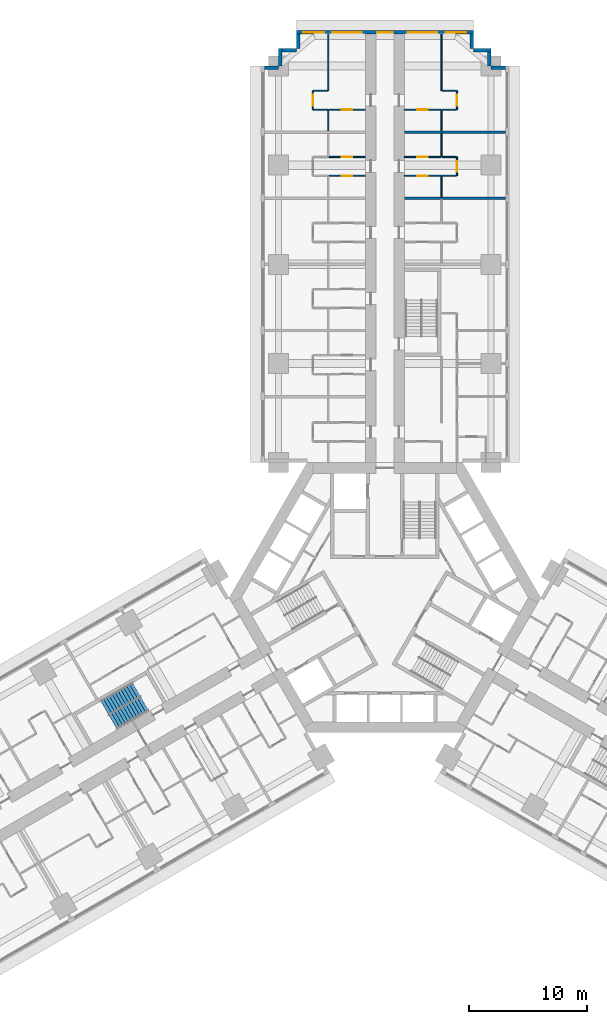
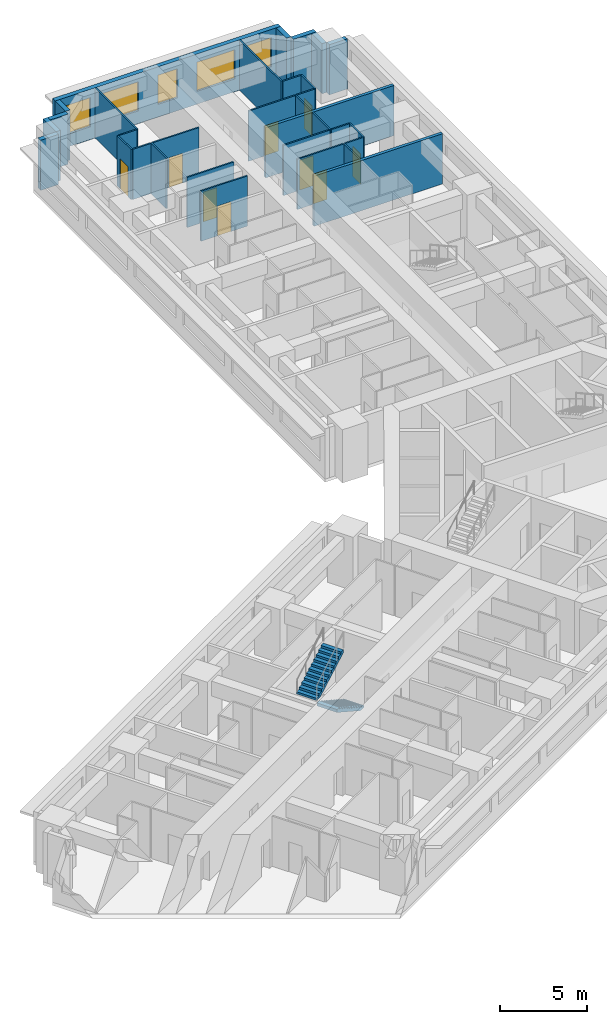
# One storey, part 15 of 17: 32 walls, 9 doors, 5 windows, 2 stair flights, 14 openings, 1 element without a shape of its own.
"""IFC4 building model written with IfcOpenShell, lengths in metres."""

from ifc_helpers import new_model, si_unit, direction, frame, frame_2d, origin, place, context, subcontext, project, spatial, polyline, rectangle, outline, extrude, material, layer, layer_set, type_object, element, fill, aggregate, save


model = new_model("IFC4")

# Units and contexts
model_context = context("Model", 3, precision=1e-05, world=origin(), true_north=direction((0.0, 1.0)))
body_context = subcontext(model_context, "Body", "Model", "MODEL_VIEW")
ifc_project = project(units=[si_unit("LENGTHUNIT", "METRE"), si_unit("AREAUNIT", "SQUARE_METRE"), si_unit("VOLUMEUNIT", "CUBIC_METRE"), si_unit("PLANEANGLEUNIT", "RADIAN"), si_unit("MASSUNIT", "GRAM", prefix="KILO")], contexts=[model_context])

# Site, building, storey
site_placement = place(None, origin())
site = spatial("IfcSite", under=ifc_project, at=site_placement, CompositionType="ELEMENT")
building_placement = place(site_placement, origin())
building = spatial("IfcBuilding", under=site, at=building_placement, Name="Impinga Residences", CompositionType="ELEMENT")
storey_placement = place(building_placement, frame((0.0, 0.0, 33.5)))
storey = spatial("IfcBuildingStorey", under=building, at=storey_placement, Name="L07", CompositionType="ELEMENT", Elevation=33.5)

# Walls
ifc_material_1 = material(Name="Terracotta rainscreen on blockwork", Category="masonry")
ifc_layer_1 = layer(ifc_material_1, 0.300048828125)
ifc_layer_set_1 = layer_set([ifc_layer_1], Name="EW1 external wall, terracotta rainscreen on blockwork 300")
wall_type_1 = type_object("IfcWallType", Name="EW1 external wall, terracotta rainscreen on blockwork 300", PredefinedType="SOLIDWALL", material=ifc_layer_set_1)
wall_1_placement = place(storey_placement, frame((-10.199951171875, 44.881591796875, 0.0), z_axis=(0.0, 0.0, 1.0), x_axis=(1.0, 0.0, 0.0)))
element("IfcWall", 1, at=wall_1_placement, inside=storey, type_object=wall_type_1, Name="External wall EW1 L07", PredefinedType="SOLIDWALL", context=body_context, shape_type="SweptSolid", body=[
    extrude(rectangle(XDim=1.199951171875, YDim=0.300048828125, at=frame_2d((0.60009765625, 0.0))), origin(), (0.0, 0.0, 1.0), 3.530029296875),
])
wall_2_placement = place(storey_placement, frame((-8.85009765625, 45.03662109375, 0.0), z_axis=(0.0, 0.0, 1.0), x_axis=(0.0, 1.0, 0.0)))
element("IfcWall", 2, at=wall_2_placement, inside=storey, type_object=wall_type_1, Name="External wall EW1 L07", PredefinedType="SOLIDWALL", context=body_context, shape_type="SweptSolid", body=[
    extrude(rectangle(XDim=1.494873046875, YDim=0.300048828125, at=frame_2d((0.74755859375, 0.0))), origin(), (0.0, 0.0, 1.0), 3.530029296875),
])
wall_3_placement = place(storey_placement, frame((-8.699951171875, 46.381591796875, 0.0), z_axis=(0.0, 0.0, 1.0), x_axis=(1.0, 0.0, 0.0)))
element("IfcWall", 3, at=wall_3_placement, inside=storey, type_object=wall_type_1, Name="External wall EW1 L07", PredefinedType="SOLIDWALL", context=body_context, shape_type="SweptSolid", body=[
    extrude(rectangle(XDim=1.199951171875, YDim=0.300048828125, at=frame_2d((0.60009765625, 0.0))), origin(), (0.0, 0.0, 1.0), 3.530029296875),
])
wall_4_placement = place(storey_placement, frame((-7.35009765625, 46.53662109375, 0.0), z_axis=(0.0, 0.0, 1.0), x_axis=(0.0, 1.0, 0.0)))
element("IfcWall", 4, at=wall_4_placement, inside=storey, type_object=wall_type_1, Name="External wall EW1 L07", PredefinedType="SOLIDWALL", context=body_context, shape_type="SweptSolid", body=[
    extrude(rectangle(XDim=1.19482421875, YDim=0.300048828125, at=frame_2d((0.597412109375, 0.0))), origin(), (0.0, 0.0, 1.0), 3.530029296875),
])

# Wall, openings, windows
wall_5_placement = place(storey_placement, frame((-7.5, 47.881591796875, 0.0), z_axis=(0.0, 0.0, 1.0), x_axis=(1.0, 0.0, 0.0)))
wall_5 = element("IfcWall", 5, at=wall_5_placement, inside=storey, type_object=wall_type_1, Name="External wall EW1 L07", PredefinedType="SOLIDWALL", context=body_context, shape_type="SweptSolid", body=[
    extrude(rectangle(XDim=15.0, YDim=0.300048828125, at=frame_2d((7.5, 0.0))), origin(), (0.0, 0.0, 1.0), 3.530029296875),
])
opening_1_placement = place(wall_5_placement, frame((0.60009765625, 0.0, 0.89990234375)))
opening_1 = element("IfcOpeningElement", 6, at=opening_1_placement, cuts=wall_5, Name="Opening W1", PredefinedType="OPENING", context=body_context, shape_type="SweptSolid", body=[
    extrude(rectangle(XDim=1.75, YDim=2.050048828125, at=frame_2d((0.875, 1.02490234375))), frame((0.0, 0.159912109375, 0.0), z_axis=(0.0, -1.0, 0.0), x_axis=(1.0, 0.0, 0.0)), (0.0, 0.0, 1.0), 0.320068359375),
])
opening_2_placement = place(wall_5_placement, frame((3.050048828125, 0.0, 0.89990234375)))
opening_2 = element("IfcOpeningElement", 7, at=opening_2_placement, cuts=wall_5, Name="Opening W2", PredefinedType="OPENING", context=body_context, shape_type="SweptSolid", body=[
    extrude(rectangle(XDim=2.5, YDim=2.050048828125, at=frame_2d((1.25, 1.02490234375))), frame((0.0, 0.159912109375, 0.0), z_axis=(0.0, -1.0, 0.0), x_axis=(1.0, 0.0, 0.0)), (0.0, 0.0, 1.0), 0.320068359375),
])
opening_3_placement = place(wall_5_placement, frame((6.85009765625, 0.0, 0.89990234375)))
opening_3 = element("IfcOpeningElement", 8, at=opening_3_placement, cuts=wall_5, Name="Opening WE1", PredefinedType="OPENING", context=body_context, shape_type="SweptSolid", body=[
    extrude(rectangle(XDim=1.300048828125, YDim=2.050048828125, at=frame_2d((0.64990234375, 1.02490234375))), frame((0.0, 0.159912109375, 0.0), z_axis=(0.0, -1.0, 0.0), x_axis=(1.0, 0.0, 0.0)), (0.0, 0.0, 1.0), 0.320068359375),
])
opening_4_placement = place(wall_5_placement, frame((9.449951171875, 0.0, 0.89990234375)))
opening_4 = element("IfcOpeningElement", 9, at=opening_4_placement, cuts=wall_5, Name="Opening W2", PredefinedType="OPENING", context=body_context, shape_type="SweptSolid", body=[
    extrude(rectangle(XDim=2.5, YDim=2.050048828125, at=frame_2d((1.25, 1.02490234375))), frame((0.0, 0.159912109375, 0.0), z_axis=(0.0, -1.0, 0.0), x_axis=(1.0, 0.0, 0.0)), (0.0, 0.0, 1.0), 0.320068359375),
])
opening_5_placement = place(wall_5_placement, frame((12.64990234375, 0.0, 0.89990234375)))
opening_5 = element("IfcOpeningElement", 10, at=opening_5_placement, cuts=wall_5, Name="Opening W1", PredefinedType="OPENING", context=body_context, shape_type="SweptSolid", body=[
    extrude(rectangle(XDim=1.75, YDim=2.050048828125, at=frame_2d((0.875, 1.02490234375))), frame((0.0, 0.159912109375, 0.0), z_axis=(0.0, -1.0, 0.0), x_axis=(1.0, 0.0, 0.0)), (0.0, 0.0, 1.0), 0.320068359375),
])
ifc_material_2 = material(Name="Aluminium window, clear double glazing", Category="aluminium")
window_type_1 = type_object("IfcWindowType", Name="W1 ribbon window 1750x2050", PartitioningType="SINGLE_PANEL", PredefinedType="WINDOW", material=ifc_material_2)
window_1_placement = place(opening_1_placement, origin())
window_1 = element("IfcWindow", 11, at=window_1_placement, inside=storey, type_object=window_type_1, Name="Window L07", OverallHeight=2.050048828125, OverallWidth=1.75, PartitioningType="SINGLE_PANEL", PredefinedType="WINDOW", context=body_context, shape_type="SweptSolid", body=[
    extrude(rectangle(XDim=1.75, YDim=2.050048828125, at=frame_2d((0.875, 1.02490234375))), frame((0.0, 0.030029296875, 0.0), z_axis=(0.0, -1.0, 0.0), x_axis=(1.0, 0.0, 0.0)), (0.0, 0.0, 1.0), 0.06005859375),
])
fill(opening_1, window_1)
window_2_placement = place(opening_5_placement, origin())
window_2 = element("IfcWindow", 12, at=window_2_placement, inside=storey, type_object=window_type_1, Name="Window L07", OverallHeight=2.050048828125, OverallWidth=1.75, PartitioningType="SINGLE_PANEL", PredefinedType="WINDOW", context=body_context, shape_type="SweptSolid", body=[
    extrude(rectangle(XDim=1.75, YDim=2.050048828125, at=frame_2d((0.875, 1.02490234375))), frame((0.0, 0.030029296875, 0.0), z_axis=(0.0, -1.0, 0.0), x_axis=(1.0, 0.0, 0.0)), (0.0, 0.0, 1.0), 0.06005859375),
])
fill(opening_5, window_2)
window_type_2 = type_object("IfcWindowType", Name="W2 ribbon window 2500x2050", PartitioningType="SINGLE_PANEL", PredefinedType="WINDOW", material=ifc_material_2)
window_3_placement = place(opening_2_placement, origin())
window_3 = element("IfcWindow", 13, at=window_3_placement, inside=storey, type_object=window_type_2, Name="Window L07", OverallHeight=2.050048828125, OverallWidth=2.5, PartitioningType="SINGLE_PANEL", PredefinedType="WINDOW", context=body_context, shape_type="SweptSolid", body=[
    extrude(rectangle(XDim=2.5, YDim=2.050048828125, at=frame_2d((1.25, 1.02490234375))), frame((0.0, 0.030029296875, 0.0), z_axis=(0.0, -1.0, 0.0), x_axis=(1.0, 0.0, 0.0)), (0.0, 0.0, 1.0), 0.06005859375),
])
fill(opening_2, window_3)
window_4_placement = place(opening_4_placement, origin())
window_4 = element("IfcWindow", 14, at=window_4_placement, inside=storey, type_object=window_type_2, Name="Window L07", OverallHeight=2.050048828125, OverallWidth=2.5, PartitioningType="SINGLE_PANEL", PredefinedType="WINDOW", context=body_context, shape_type="SweptSolid", body=[
    extrude(rectangle(XDim=2.5, YDim=2.050048828125, at=frame_2d((1.25, 1.02490234375))), frame((0.0, 0.030029296875, 0.0), z_axis=(0.0, -1.0, 0.0), x_axis=(1.0, 0.0, 0.0)), (0.0, 0.0, 1.0), 0.06005859375),
])
fill(opening_4, window_4)
window_type_3 = type_object("IfcWindowType", Name="WE1 corridor window 1300x2050", PartitioningType="SINGLE_PANEL", PredefinedType="WINDOW", material=ifc_material_2)
window_5_placement = place(opening_3_placement, origin())
window_5 = element("IfcWindow", 15, at=window_5_placement, inside=storey, type_object=window_type_3, Name="Window L07", OverallHeight=2.050048828125, OverallWidth=1.300048828125, PartitioningType="SINGLE_PANEL", PredefinedType="WINDOW", context=body_context, shape_type="SweptSolid", body=[
    extrude(rectangle(XDim=1.300048828125, YDim=2.050048828125, at=frame_2d((0.64990234375, 1.02490234375))), frame((0.0, 0.030029296875, 0.0), z_axis=(0.0, -1.0, 0.0), x_axis=(1.0, 0.0, 0.0)), (0.0, 0.0, 1.0), 0.06005859375),
])
fill(opening_3, window_5)

# Walls
wall_6_placement = place(storey_placement, frame((7.35009765625, 47.7314453125, 0.0), z_axis=(0.0, 0.0, 1.0), x_axis=(0.0, -1.0, 0.0)))
element("IfcWall", 16, at=wall_6_placement, inside=storey, type_object=wall_type_1, Name="External wall EW1 L07", PredefinedType="SOLIDWALL", context=body_context, shape_type="SweptSolid", body=[
    extrude(rectangle(XDim=1.19482421875, YDim=0.300048828125, at=frame_2d((0.597412109375, 0.0))), origin(), (0.0, 0.0, 1.0), 3.530029296875),
])
wall_7_placement = place(storey_placement, frame((7.5, 46.381591796875, 0.0), z_axis=(0.0, 0.0, 1.0), x_axis=(1.0, 0.0, 0.0)))
element("IfcWall", 17, at=wall_7_placement, inside=storey, type_object=wall_type_1, Name="External wall EW1 L07", PredefinedType="SOLIDWALL", context=body_context, shape_type="SweptSolid", body=[
    extrude(rectangle(XDim=1.5, YDim=0.300048828125, at=frame_2d((0.75, 0.0))), origin(), (0.0, 0.0, 1.0), 3.530029296875),
])
wall_8_placement = place(storey_placement, frame((8.85009765625, 46.2314453125, 0.0), z_axis=(0.0, 0.0, 1.0), x_axis=(0.0, -1.0, 0.0)))
element("IfcWall", 18, at=wall_8_placement, inside=storey, type_object=wall_type_1, Name="External wall EW1 L07", PredefinedType="SOLIDWALL", context=body_context, shape_type="SweptSolid", body=[
    extrude(rectangle(XDim=1.199951171875, YDim=0.300048828125, at=frame_2d((0.60009765625, 0.0))), origin(), (0.0, 0.0, 1.0), 3.530029296875),
])
wall_9_placement = place(storey_placement, frame((9.0048828125, 44.881591796875, 0.0), z_axis=(0.0, 0.0, 1.0), x_axis=(1.0, 0.0, 0.0)))
element("IfcWall", 19, at=wall_9_placement, inside=storey, type_object=wall_type_1, Name="External wall EW1 L07", PredefinedType="SOLIDWALL", context=body_context, shape_type="SweptSolid", body=[
    extrude(rectangle(XDim=1.195068359375, YDim=0.300048828125, at=frame_2d((0.59765625, 0.0))), origin(), (0.0, 0.0, 1.0), 3.530029296875),
])

# Wall, opening, door
ifc_material_3 = material(Name="Gypsum board on steel studs", Category="steel")
ifc_layer_2 = layer(ifc_material_3, 0.10009765625)
ifc_layer_set_2 = layer_set([ifc_layer_2], Name="Gypsum board on steel studs")
wall_type_2 = type_object("IfcWallType", Name="IP1 partition 100", PredefinedType="PARTITIONING", material=ifc_layer_set_2)
wall_10_placement = place(storey_placement, frame((-1.64990234375, 35.7314453125, 0.0), z_axis=(0.0, 0.0, 1.0), x_axis=(-1.0, 0.0, 0.0)))
wall_10 = element("IfcWall", 20, at=wall_10_placement, inside=storey, type_object=wall_type_2, Name="Partition L07-NA5:IB1", PredefinedType="PARTITIONING", context=body_context, shape_type="SweptSolid", body=[
    extrude(rectangle(XDim=3.10009765625, YDim=0.10009765625, at=frame_2d((1.550048828125, 0.0))), origin(), (0.0, 0.0, 1.0), 3.530029296875),
])
opening_6_placement = place(wall_10_placement, frame((1.10009765625, 0.0, 0.0)))
opening_6 = element("IfcOpeningElement", 21, at=opening_6_placement, cuts=wall_10, Name="Opening D2", PredefinedType="OPENING", context=body_context, shape_type="SweptSolid", body=[
    extrude(rectangle(XDim=0.89990234375, YDim=2.10009765625, at=frame_2d((0.449951171875, 1.050048828125))), frame((0.0, 0.06005859375, 0.0), z_axis=(0.0, -1.0, 0.0), x_axis=(1.0, 0.0, 0.0)), (0.0, 0.0, 1.0), 0.1201171875),
])
ifc_material_4 = material(Name="Timber door set", Category="wood")
door_type = type_object("IfcDoorType", Name="D2 internal door 900x2100", OperationType="SINGLE_SWING_LEFT", PredefinedType="DOOR", material=ifc_material_4)
door_1_placement = place(opening_6_placement, origin())
door_1 = element("IfcDoor", 22, at=door_1_placement, inside=storey, type_object=door_type, Name="Apartment L07-NA5 bathroom door", OperationType="SINGLE_SWING_LEFT", OverallHeight=2.10009765625, OverallWidth=0.89990234375, PredefinedType="DOOR", context=body_context, shape_type="SweptSolid", body=[
    extrude(rectangle(XDim=0.89990234375, YDim=2.10009765625, at=frame_2d((0.449951171875, 1.050048828125))), frame((0.0, 0.02490234375, 0.0), z_axis=(0.0, -1.0, 0.0), x_axis=(1.0, 0.0, 0.0)), (0.0, 0.0, 1.0), 0.050048828125),
])
fill(opening_6, door_1)

wall_11_placement = place(storey_placement, frame((-1.64990234375, 37.33154296875, 0.0), z_axis=(0.0, 0.0, 1.0), x_axis=(-1.0, 0.0, 0.0)))
wall_11 = element("IfcWall", 23, at=wall_11_placement, inside=storey, type_object=wall_type_2, Name="Partition L07-NA5:IB2", PredefinedType="PARTITIONING", context=body_context, shape_type="SweptSolid", body=[
    extrude(rectangle(XDim=3.10009765625, YDim=0.10009765625, at=frame_2d((1.550048828125, 0.0))), origin(), (0.0, 0.0, 1.0), 3.530029296875),
])
opening_7_placement = place(wall_11_placement, frame((1.10009765625, 0.0, 0.0)))
opening_7 = element("IfcOpeningElement", 24, at=opening_7_placement, cuts=wall_11, Name="Opening D2", PredefinedType="OPENING", context=body_context, shape_type="SweptSolid", body=[
    extrude(rectangle(XDim=0.89990234375, YDim=2.10009765625, at=frame_2d((0.449951171875, 1.050048828125))), frame((0.0, 0.06005859375, 0.0), z_axis=(0.0, -1.0, 0.0), x_axis=(1.0, 0.0, 0.0)), (0.0, 0.0, 1.0), 0.1201171875),
])
door_2_placement = place(opening_7_placement, origin())
door_2 = element("IfcDoor", 25, at=door_2_placement, inside=storey, type_object=door_type, Name="Apartment L07-NA5 WC door", OperationType="SINGLE_SWING_LEFT", OverallHeight=2.10009765625, OverallWidth=0.89990234375, PredefinedType="DOOR", context=body_context, shape_type="SweptSolid", body=[
    extrude(rectangle(XDim=0.89990234375, YDim=2.10009765625, at=frame_2d((0.449951171875, 1.050048828125))), frame((0.0, 0.02490234375, 0.0), z_axis=(0.0, -1.0, 0.0), x_axis=(1.0, 0.0, 0.0)), (0.0, 0.0, 1.0), 0.050048828125),
])
fill(opening_7, door_2)

# Walls
wall_12_placement = place(storey_placement, frame((-4.800048828125, 39.531494140625, 0.0), z_axis=(0.0, 0.0, 1.0), x_axis=(0.0, 1.0, 0.0)))
element("IfcWall", 26, at=wall_12_placement, inside=storey, type_object=wall_type_2, Name="Partition L07-NA6:DIV0", PredefinedType="PARTITIONING", context=body_context, shape_type="SweptSolid", body=[
    extrude(rectangle(XDim=1.800048828125, YDim=0.10009765625, at=frame_2d((0.89990234375, 0.0))), origin(), (0.0, 0.0, 1.0), 3.530029296875),
])
wall_13_placement = place(storey_placement, frame((-4.800048828125, 42.931640625, 0.0), z_axis=(0.0, 0.0, 1.0), x_axis=(0.0, 1.0, 0.0)))
element("IfcWall", 27, at=wall_13_placement, inside=storey, type_object=wall_type_2, Name="Partition L07-NA6:DIV1", PredefinedType="PARTITIONING", context=body_context, shape_type="SweptSolid", body=[
    extrude(rectangle(XDim=4.7998046875, YDim=0.10009765625, at=frame_2d((2.39990234375, 0.0))), origin(), (0.0, 0.0, 1.0), 3.530029296875),
])

# Wall, opening, door
wall_14_placement = place(storey_placement, frame((-6.10009765625, 41.33154296875, 0.0), z_axis=(0.0, 0.0, 1.0), x_axis=(0.0, 1.0, 0.0)))
wall_14 = element("IfcWall", 28, at=wall_14_placement, inside=storey, type_object=wall_type_2, Name="Partition L07-NA6:STRIP", PredefinedType="PARTITIONING", context=body_context, shape_type="SweptSolid", body=[
    extrude(rectangle(XDim=1.60009765625, YDim=0.10009765625, at=frame_2d((0.800048828125, 0.0))), origin(), (0.0, 0.0, 1.0), 3.530029296875),
])
opening_8_placement = place(wall_14_placement, frame((0.35009765625, 0.0, 0.0)))
opening_8 = element("IfcOpeningElement", 29, at=opening_8_placement, cuts=wall_14, Name="Opening D2", PredefinedType="OPENING", context=body_context, shape_type="SweptSolid", body=[
    extrude(rectangle(XDim=0.89990234375, YDim=2.10009765625, at=frame_2d((0.449951171875, 1.050048828125))), frame((0.0, 0.06005859375, 0.0), z_axis=(0.0, -1.0, 0.0), x_axis=(1.0, 0.0, 0.0)), (0.0, 0.0, 1.0), 0.1201171875),
])
door_3_placement = place(opening_8_placement, origin())
door_3 = element("IfcDoor", 30, at=door_3_placement, inside=storey, type_object=door_type, Name="Apartment L07-NA6 room door", OperationType="SINGLE_SWING_LEFT", OverallHeight=2.10009765625, OverallWidth=0.89990234375, PredefinedType="DOOR", context=body_context, shape_type="SweptSolid", body=[
    extrude(rectangle(XDim=0.89990234375, YDim=2.10009765625, at=frame_2d((0.449951171875, 1.050048828125))), frame((0.0, 0.02490234375, 0.0), z_axis=(0.0, -1.0, 0.0), x_axis=(1.0, 0.0, 0.0)), (0.0, 0.0, 1.0), 0.050048828125),
])
fill(opening_8, door_3)

# Walls
for number, where, z_axis, x_axis, name in (
    (31, (-4.85009765625, 41.33154296875, 0.0), (0.0, 0.0, 1.0), (-1.0, 0.0, 0.0), "Partition L07-NA6:SE0"),
    (32, (-4.85009765625, 42.931640625, 0.0), (0.0, 0.0, 1.0), (-1.0, 0.0, 0.0), "Partition L07-NA6:SE1"),
):
    element("IfcWall", number, at=place(storey_placement, frame(where, z_axis=z_axis, x_axis=x_axis)), inside=storey, type_object=wall_type_2, Name=name, PredefinedType="PARTITIONING", context=body_context, shape_type="SweptSolid", body=[
        extrude(rectangle(XDim=1.199951171875, YDim=0.10009765625, at=frame_2d((0.60009765625, 0.0))), origin(), (0.0, 0.0, 1.0), 3.530029296875),
    ])

# Wall, opening, door
wall_15_placement = place(storey_placement, frame((-1.64990234375, 41.33154296875, 0.0), z_axis=(0.0, 0.0, 1.0), x_axis=(-1.0, 0.0, 0.0)))
wall_15 = element("IfcWall", 33, at=wall_15_placement, inside=storey, type_object=wall_type_2, Name="Partition L07-NA6:IB1", PredefinedType="PARTITIONING", context=body_context, shape_type="SweptSolid", body=[
    extrude(rectangle(XDim=3.10009765625, YDim=0.10009765625, at=frame_2d((1.550048828125, 0.0))), origin(), (0.0, 0.0, 1.0), 3.530029296875),
])
opening_9_placement = place(wall_15_placement, frame((1.10009765625, 0.0, 0.0)))
opening_9 = element("IfcOpeningElement", 34, at=opening_9_placement, cuts=wall_15, Name="Opening D2", PredefinedType="OPENING", context=body_context, shape_type="SweptSolid", body=[
    extrude(rectangle(XDim=0.89990234375, YDim=2.10009765625, at=frame_2d((0.449951171875, 1.050048828125))), frame((0.0, 0.06005859375, 0.0), z_axis=(0.0, -1.0, 0.0), x_axis=(1.0, 0.0, 0.0)), (0.0, 0.0, 1.0), 0.1201171875),
])
door_4_placement = place(opening_9_placement, origin())
door_4 = element("IfcDoor", 35, at=door_4_placement, inside=storey, type_object=door_type, Name="Apartment L07-NA6 bathroom door", OperationType="SINGLE_SWING_LEFT", OverallHeight=2.10009765625, OverallWidth=0.89990234375, PredefinedType="DOOR", context=body_context, shape_type="SweptSolid", body=[
    extrude(rectangle(XDim=0.89990234375, YDim=2.10009765625, at=frame_2d((0.449951171875, 1.050048828125))), frame((0.0, 0.02490234375, 0.0), z_axis=(0.0, -1.0, 0.0), x_axis=(1.0, 0.0, 0.0)), (0.0, 0.0, 1.0), 0.050048828125),
])
fill(opening_9, door_4)

# Walls
wall_16_placement = place(storey_placement, frame((4.800048828125, 33.931640625, 0.0), z_axis=(0.0, 0.0, 1.0), x_axis=(0.0, 1.0, 0.0)))
element("IfcWall", 36, at=wall_16_placement, inside=storey, type_object=wall_type_2, Name="Partition L07-NF3:DIV0", PredefinedType="PARTITIONING", context=body_context, shape_type="SweptSolid", body=[
    extrude(rectangle(XDim=1.7998046875, YDim=0.10009765625, at=frame_2d((0.89990234375, 0.0))), origin(), (0.0, 0.0, 1.0), 3.530029296875),
])
wall_17_placement = place(storey_placement, frame((4.800048828125, 37.33154296875, 0.0), z_axis=(0.0, 0.0, 1.0), x_axis=(0.0, 1.0, 0.0)))
element("IfcWall", 37, at=wall_17_placement, inside=storey, type_object=wall_type_2, Name="Partition L07-NF3:DIV1", PredefinedType="PARTITIONING", context=body_context, shape_type="SweptSolid", body=[
    extrude(rectangle(XDim=2.0, YDim=0.10009765625, at=frame_2d((1.0, 0.0))), origin(), (0.0, 0.0, 1.0), 3.530029296875),
])

# Wall, opening, door
wall_18_placement = place(storey_placement, frame((6.10009765625, 35.7314453125, 0.0), z_axis=(0.0, 0.0, 1.0), x_axis=(0.0, 1.0, 0.0)))
wall_18 = element("IfcWall", 38, at=wall_18_placement, inside=storey, type_object=wall_type_2, Name="Partition L07-NF3:STRIP", PredefinedType="PARTITIONING", context=body_context, shape_type="SweptSolid", body=[
    extrude(rectangle(XDim=1.60009765625, YDim=0.10009765625, at=frame_2d((0.800048828125, 0.0))), origin(), (0.0, 0.0, 1.0), 3.530029296875),
])
opening_10_placement = place(wall_18_placement, frame((0.35009765625, 0.0, 0.0)))
opening_10 = element("IfcOpeningElement", 39, at=opening_10_placement, cuts=wall_18, Name="Opening D2", PredefinedType="OPENING", context=body_context, shape_type="SweptSolid", body=[
    extrude(rectangle(XDim=0.89990234375, YDim=2.10009765625, at=frame_2d((0.449951171875, 1.050048828125))), frame((0.0, 0.06005859375, 0.0), z_axis=(0.0, -1.0, 0.0), x_axis=(1.0, 0.0, 0.0)), (0.0, 0.0, 1.0), 0.1201171875),
])
door_5_placement = place(opening_10_placement, origin())
door_5 = element("IfcDoor", 40, at=door_5_placement, inside=storey, type_object=door_type, Name="Apartment L07-NF3 room door", OperationType="SINGLE_SWING_LEFT", OverallHeight=2.10009765625, OverallWidth=0.89990234375, PredefinedType="DOOR", context=body_context, shape_type="SweptSolid", body=[
    extrude(rectangle(XDim=0.89990234375, YDim=2.10009765625, at=frame_2d((0.449951171875, 1.050048828125))), frame((0.0, 0.02490234375, 0.0), z_axis=(0.0, -1.0, 0.0), x_axis=(1.0, 0.0, 0.0)), (0.0, 0.0, 1.0), 0.050048828125),
])
fill(opening_10, door_5)

# Walls
for number, where, z_axis, x_axis, name in (
    (41, (4.85009765625, 35.7314453125, 0.0), (0.0, 0.0, 1.0), (1.0, 0.0, 0.0), "Partition L07-NF3:SE0"),
    (42, (4.85009765625, 37.33154296875, 0.0), (0.0, 0.0, 1.0), (1.0, 0.0, 0.0), "Partition L07-NF3:SE1"),
):
    element("IfcWall", number, at=place(storey_placement, frame(where, z_axis=z_axis, x_axis=x_axis)), inside=storey, type_object=wall_type_2, Name=name, PredefinedType="PARTITIONING", context=body_context, shape_type="SweptSolid", body=[
        extrude(rectangle(XDim=1.199951171875, YDim=0.10009765625, at=frame_2d((0.60009765625, 0.0))), origin(), (0.0, 0.0, 1.0), 3.530029296875),
    ])

# Wall, opening, door
wall_19_placement = place(storey_placement, frame((1.64990234375, 35.7314453125, 0.0), z_axis=(0.0, 0.0, 1.0), x_axis=(1.0, 0.0, 0.0)))
wall_19 = element("IfcWall", 43, at=wall_19_placement, inside=storey, type_object=wall_type_2, Name="Partition L07-NF3:IB1", PredefinedType="PARTITIONING", context=body_context, shape_type="SweptSolid", body=[
    extrude(rectangle(XDim=3.10009765625, YDim=0.10009765625, at=frame_2d((1.550048828125, 0.0))), origin(), (0.0, 0.0, 1.0), 3.530029296875),
])
opening_11_placement = place(wall_19_placement, frame((1.10009765625, 0.0, 0.0)))
opening_11 = element("IfcOpeningElement", 44, at=opening_11_placement, cuts=wall_19, Name="Opening D2", PredefinedType="OPENING", context=body_context, shape_type="SweptSolid", body=[
    extrude(rectangle(XDim=0.89990234375, YDim=2.10009765625, at=frame_2d((0.449951171875, 1.050048828125))), frame((0.0, 0.06005859375, 0.0), z_axis=(0.0, -1.0, 0.0), x_axis=(1.0, 0.0, 0.0)), (0.0, 0.0, 1.0), 0.1201171875),
])
door_6_placement = place(opening_11_placement, origin())
door_6 = element("IfcDoor", 45, at=door_6_placement, inside=storey, type_object=door_type, Name="Apartment L07-NF3 bathroom door", OperationType="SINGLE_SWING_LEFT", OverallHeight=2.10009765625, OverallWidth=0.89990234375, PredefinedType="DOOR", context=body_context, shape_type="SweptSolid", body=[
    extrude(rectangle(XDim=0.89990234375, YDim=2.10009765625, at=frame_2d((0.449951171875, 1.050048828125))), frame((0.0, 0.02490234375, 0.0), z_axis=(0.0, -1.0, 0.0), x_axis=(1.0, 0.0, 0.0)), (0.0, 0.0, 1.0), 0.050048828125),
])
fill(opening_11, door_6)

wall_20_placement = place(storey_placement, frame((1.64990234375, 37.33154296875, 0.0), z_axis=(0.0, 0.0, 1.0), x_axis=(1.0, 0.0, 0.0)))
wall_20 = element("IfcWall", 46, at=wall_20_placement, inside=storey, type_object=wall_type_2, Name="Partition L07-NF3:IB2", PredefinedType="PARTITIONING", context=body_context, shape_type="SweptSolid", body=[
    extrude(rectangle(XDim=3.10009765625, YDim=0.10009765625, at=frame_2d((1.550048828125, 0.0))), origin(), (0.0, 0.0, 1.0), 3.530029296875),
])
opening_12_placement = place(wall_20_placement, frame((1.10009765625, 0.0, 0.0)))
opening_12 = element("IfcOpeningElement", 47, at=opening_12_placement, cuts=wall_20, Name="Opening D2", PredefinedType="OPENING", context=body_context, shape_type="SweptSolid", body=[
    extrude(rectangle(XDim=0.89990234375, YDim=2.10009765625, at=frame_2d((0.449951171875, 1.050048828125))), frame((0.0, 0.06005859375, 0.0), z_axis=(0.0, -1.0, 0.0), x_axis=(1.0, 0.0, 0.0)), (0.0, 0.0, 1.0), 0.1201171875),
])
door_7_placement = place(opening_12_placement, origin())
door_7 = element("IfcDoor", 48, at=door_7_placement, inside=storey, type_object=door_type, Name="Apartment L07-NF3 WC door", OperationType="SINGLE_SWING_LEFT", OverallHeight=2.10009765625, OverallWidth=0.89990234375, PredefinedType="DOOR", context=body_context, shape_type="SweptSolid", body=[
    extrude(rectangle(XDim=0.89990234375, YDim=2.10009765625, at=frame_2d((0.449951171875, 1.050048828125))), frame((0.0, 0.02490234375, 0.0), z_axis=(0.0, -1.0, 0.0), x_axis=(1.0, 0.0, 0.0)), (0.0, 0.0, 1.0), 0.050048828125),
])
fill(opening_12, door_7)

# Walls
wall_21_placement = place(storey_placement, frame((4.800048828125, 39.531494140625, 0.0), z_axis=(0.0, 0.0, 1.0), x_axis=(0.0, 1.0, 0.0)))
element("IfcWall", 49, at=wall_21_placement, inside=storey, type_object=wall_type_2, Name="Partition L07-NF4:DIV0", PredefinedType="PARTITIONING", context=body_context, shape_type="SweptSolid", body=[
    extrude(rectangle(XDim=1.800048828125, YDim=0.10009765625, at=frame_2d((0.89990234375, 0.0))), origin(), (0.0, 0.0, 1.0), 3.530029296875),
])
wall_22_placement = place(storey_placement, frame((4.800048828125, 42.931640625, 0.0), z_axis=(0.0, 0.0, 1.0), x_axis=(0.0, 1.0, 0.0)))
element("IfcWall", 50, at=wall_22_placement, inside=storey, type_object=wall_type_2, Name="Partition L07-NF4:DIV1", PredefinedType="PARTITIONING", context=body_context, shape_type="SweptSolid", body=[
    extrude(rectangle(XDim=4.7998046875, YDim=0.10009765625, at=frame_2d((2.39990234375, 0.0))), origin(), (0.0, 0.0, 1.0), 3.530029296875),
])

# Wall, opening, door
wall_23_placement = place(storey_placement, frame((6.10009765625, 41.33154296875, 0.0), z_axis=(0.0, 0.0, 1.0), x_axis=(0.0, 1.0, 0.0)))
wall_23 = element("IfcWall", 51, at=wall_23_placement, inside=storey, type_object=wall_type_2, Name="Partition L07-NF4:STRIP", PredefinedType="PARTITIONING", context=body_context, shape_type="SweptSolid", body=[
    extrude(rectangle(XDim=1.60009765625, YDim=0.10009765625, at=frame_2d((0.800048828125, 0.0))), origin(), (0.0, 0.0, 1.0), 3.530029296875),
])
opening_13_placement = place(wall_23_placement, frame((0.35009765625, 0.0, 0.0)))
opening_13 = element("IfcOpeningElement", 52, at=opening_13_placement, cuts=wall_23, Name="Opening D2", PredefinedType="OPENING", context=body_context, shape_type="SweptSolid", body=[
    extrude(rectangle(XDim=0.89990234375, YDim=2.10009765625, at=frame_2d((0.449951171875, 1.050048828125))), frame((0.0, 0.06005859375, 0.0), z_axis=(0.0, -1.0, 0.0), x_axis=(1.0, 0.0, 0.0)), (0.0, 0.0, 1.0), 0.1201171875),
])
door_8_placement = place(opening_13_placement, origin())
door_8 = element("IfcDoor", 53, at=door_8_placement, inside=storey, type_object=door_type, Name="Apartment L07-NF4 room door", OperationType="SINGLE_SWING_LEFT", OverallHeight=2.10009765625, OverallWidth=0.89990234375, PredefinedType="DOOR", context=body_context, shape_type="SweptSolid", body=[
    extrude(rectangle(XDim=0.89990234375, YDim=2.10009765625, at=frame_2d((0.449951171875, 1.050048828125))), frame((0.0, 0.02490234375, 0.0), z_axis=(0.0, -1.0, 0.0), x_axis=(1.0, 0.0, 0.0)), (0.0, 0.0, 1.0), 0.050048828125),
])
fill(opening_13, door_8)

# Walls
for number, where, z_axis, x_axis, name in (
    (54, (4.85009765625, 41.33154296875, 0.0), (0.0, 0.0, 1.0), (1.0, 0.0, 0.0), "Partition L07-NF4:SE0"),
    (55, (4.85009765625, 42.931640625, 0.0), (0.0, 0.0, 1.0), (1.0, 0.0, 0.0), "Partition L07-NF4:SE1"),
):
    element("IfcWall", number, at=place(storey_placement, frame(where, z_axis=z_axis, x_axis=x_axis)), inside=storey, type_object=wall_type_2, Name=name, PredefinedType="PARTITIONING", context=body_context, shape_type="SweptSolid", body=[
        extrude(rectangle(XDim=1.199951171875, YDim=0.10009765625, at=frame_2d((0.60009765625, 0.0))), origin(), (0.0, 0.0, 1.0), 3.530029296875),
    ])

# Wall, opening, door
wall_24_placement = place(storey_placement, frame((1.64990234375, 41.33154296875, 0.0), z_axis=(0.0, 0.0, 1.0), x_axis=(1.0, 0.0, 0.0)))
wall_24 = element("IfcWall", 56, at=wall_24_placement, inside=storey, type_object=wall_type_2, Name="Partition L07-NF4:IB1", PredefinedType="PARTITIONING", context=body_context, shape_type="SweptSolid", body=[
    extrude(rectangle(XDim=3.10009765625, YDim=0.10009765625, at=frame_2d((1.550048828125, 0.0))), origin(), (0.0, 0.0, 1.0), 3.530029296875),
])
opening_14_placement = place(wall_24_placement, frame((1.10009765625, 0.0, 0.0)))
opening_14 = element("IfcOpeningElement", 57, at=opening_14_placement, cuts=wall_24, Name="Opening D2", PredefinedType="OPENING", context=body_context, shape_type="SweptSolid", body=[
    extrude(rectangle(XDim=0.89990234375, YDim=2.10009765625, at=frame_2d((0.449951171875, 1.050048828125))), frame((0.0, 0.06005859375, 0.0), z_axis=(0.0, -1.0, 0.0), x_axis=(1.0, 0.0, 0.0)), (0.0, 0.0, 1.0), 0.1201171875),
])
door_9_placement = place(opening_14_placement, origin())
door_9 = element("IfcDoor", 58, at=door_9_placement, inside=storey, type_object=door_type, Name="Apartment L07-NF4 bathroom door", OperationType="SINGLE_SWING_LEFT", OverallHeight=2.10009765625, OverallWidth=0.89990234375, PredefinedType="DOOR", context=body_context, shape_type="SweptSolid", body=[
    extrude(rectangle(XDim=0.89990234375, YDim=2.10009765625, at=frame_2d((0.449951171875, 1.050048828125))), frame((0.0, 0.02490234375, 0.0), z_axis=(0.0, -1.0, 0.0), x_axis=(1.0, 0.0, 0.0)), (0.0, 0.0, 1.0), 0.050048828125),
])
fill(opening_14, door_9)

# Walls
ifc_material_5 = material(Name="Concrete blockwork", Category="masonry")
ifc_layer_3 = layer(ifc_material_5, 0.199951171875)
ifc_layer_set_3 = layer_set([ifc_layer_3], Name="PW1 party wall between apartments 200")
wall_type_3 = type_object("IfcWallType", Name="PW1 party wall between apartments 200", PredefinedType="SOLIDWALL", material=ifc_layer_set_3)
for number, where, z_axis, x_axis, name in (
    (59, (1.64990234375, 33.83154296875, 0.0), (0.0, 0.0, 1.0), (1.0, 0.0, 0.0), "Party wall between apartments L07-NF2:PARTY"),
    (60, (1.64990234375, 39.431640625, 0.0), (0.0, 0.0, 1.0), (1.0, 0.0, 0.0), "Party wall between apartments L07-NF3:PARTY"),
):
    element("IfcWall", number, at=place(storey_placement, frame(where, z_axis=z_axis, x_axis=x_axis)), inside=storey, type_object=wall_type_3, Name=name, PredefinedType="SOLIDWALL", context=body_context, shape_type="SweptSolid", body=[
        extrude(rectangle(XDim=8.550048828125, YDim=0.199951171875, at=frame_2d((4.27490234375, 0.0))), origin(), (0.0, 0.0, 1.0), 3.530029296875),
    ])

# Stair, stair flights
ifc_material_6 = material(Name="Concrete C40/50", Category="concrete")
stair_type = type_object("IfcStairType", Name="STR wing stair 3750 storey, 24 risers", PredefinedType="HALF_TURN_STAIR", material=ifc_material_6)
stair_placement = place(storey_placement, origin())
stair = element("IfcStair", 61, at=stair_placement, inside=storey, type_object=stair_type, Name="Stair WS2 L07", PredefinedType="HALF_TURN_STAIR")
stair_flight_type = type_object("IfcStairFlightType", Name="SF 12 risers of 156", PredefinedType="STRAIGHT", material=ifc_material_6)
stair_flight_1_placement = place(storey_placement, frame((-20.37890625, -8.965576171875, 0.0), z_axis=(0.0, 0.0, 1.0), x_axis=(-0.866025403784, -0.5, 0.0)))
stair_flight_1 = element("IfcStairFlight", 62, at=stair_flight_1_placement, type_object=stair_flight_type, Name="WS2 flight 1", NumberOfRisers=12, NumberOfTreads=11, PredefinedType="STRAIGHT", RiserHeight=0.15625, TreadLength=0.28, context=body_context, shape_type="SweptSolid", body=[
    extrude(outline(polyline([(0.0, 0.0), (0.0, 0.15625), (0.280029296875, 0.15625), (0.280029296875, 0.3125), (0.56005859375, 0.3125), (0.56005859375, 0.46875), (0.840087890625, 0.46875), (0.840087890625, 0.625), (1.1201171875, 0.625), (1.1201171875, 0.78125), (1.39990234375, 0.78125), (1.39990234375, 0.9375), (1.679931640625, 0.9375), (1.679931640625, 1.09375), (1.9599609375, 1.09375), (1.9599609375, 1.25), (2.239990234375, 1.25), (2.239990234375, 1.40625), (2.52001953125, 1.40625), (2.52001953125, 1.5625), (2.800048828125, 1.5625), (2.800048828125, 1.71875), (3.080078125, 1.71875), (3.080078125, 1.875), (3.080078125, 1.5126953125), (0.369140625, 0.0), (0.0, 0.0)])), frame((0.0, 0.675048828125, 0.0), z_axis=(0.0, -1.0, 0.0), x_axis=(1.0, 0.0, 0.0)), (0.0, 0.0, 1.0), 1.35009765625),
])
stair_flight_2_placement = place(storey_placement, frame((-23.721435546875, -9.33642578125, 1.875), z_axis=(0.0, 0.0, 1.0), x_axis=(0.866025403784, 0.5, 0.0)))
stair_flight_2 = element("IfcStairFlight", 63, at=stair_flight_2_placement, type_object=stair_flight_type, Name="WS2 flight 2", NumberOfRisers=12, NumberOfTreads=11, PredefinedType="STRAIGHT", RiserHeight=0.15625, TreadLength=0.28, context=body_context, shape_type="SweptSolid", body=[
    extrude(outline(polyline([(0.0, 0.0), (0.0, 0.15625), (0.280029296875, 0.15625), (0.280029296875, 0.3125), (0.56005859375, 0.3125), (0.56005859375, 0.46875), (0.840087890625, 0.46875), (0.840087890625, 0.625), (1.1201171875, 0.625), (1.1201171875, 0.78125), (1.39990234375, 0.78125), (1.39990234375, 0.9375), (1.679931640625, 0.9375), (1.679931640625, 1.09375), (1.9599609375, 1.09375), (1.9599609375, 1.25), (2.239990234375, 1.25), (2.239990234375, 1.40625), (2.52001953125, 1.40625), (2.52001953125, 1.5625), (2.800048828125, 1.5625), (2.800048828125, 1.71875), (3.080078125, 1.71875), (3.080078125, 1.875), (3.080078125, 1.5126953125), (0.369140625, 0.0), (0.0, 0.0)])), frame((0.0, 0.675048828125, 0.0), z_axis=(0.0, -1.0, 0.0), x_axis=(1.0, 0.0, 0.0)), (0.0, 0.0, 1.0), 1.35009765625),
])
aggregate(stair, [stair_flight_1, stair_flight_2])

save(model, "model.ifc")
